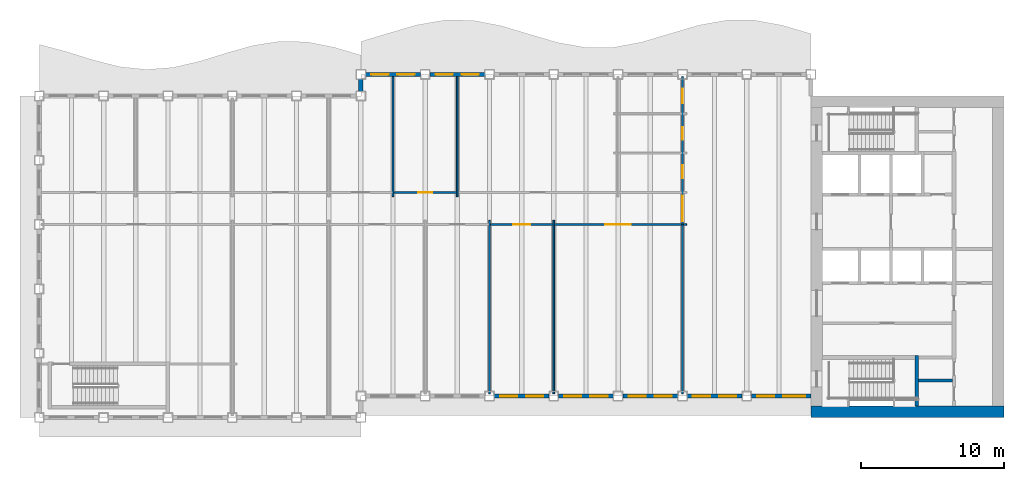
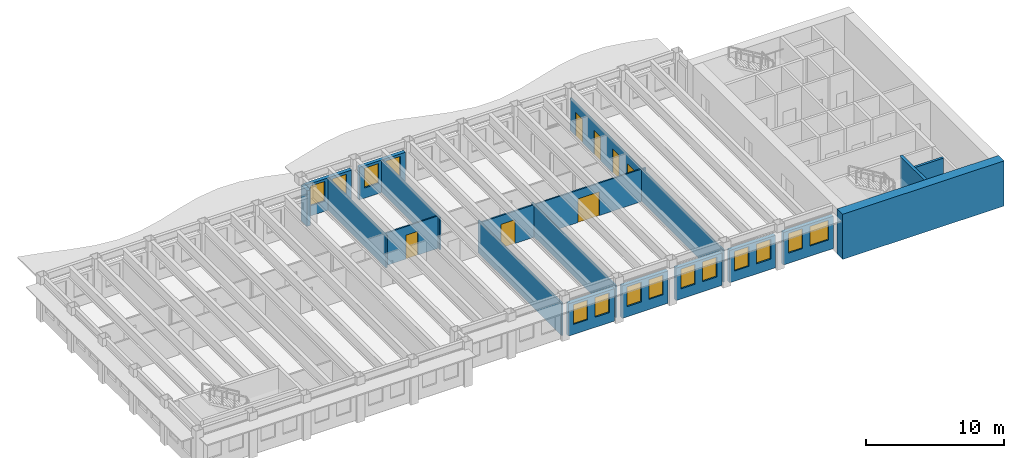
# One storey, part 4 of 12: 20 walls, 14 windows, 7 doors, 21 openings.
"""IFC4 building model written with IfcOpenShell, lengths in metres."""

import ifcopenshell
import ifcopenshell.guid

model = None  # the IFC model being written
_history = None  # IfcOwnerHistory: only IFC2X3 demands one
_inside = {}  # id of a spatial element -> (the spatial element, [elements in it])
_under = {}  # id of a project, library or spatial element -> (it, [spatial elements below it])
_declared = {}  # id of a project -> (the project, [libraries it declares])
_typed = {}  # id of a type object -> (the type object, [elements of that type])
_made_of = {}  # id of a material, layer set ... -> (it, [elements and type objects made of it])


def new_model(schema):
    """Start an empty IFC model of exactly this schema.

    Asked for "IFC4X3", IfcOpenShell would pick the latest addendum, in which some entities
    have other attributes; the version numbers below select the first issue.
    IFC2X3 requires an IfcOwnerHistory on every rooted entity: one is made here for all.
    """
    global model, _history
    if schema == "IFC4X3":
        model = ifcopenshell.file(schema_version=(4, 3, 0, 0))
    else:
        model = ifcopenshell.file(schema=schema)
    _inside.clear()
    _under.clear()
    _declared.clear()
    _typed.clear()
    _made_of.clear()
    _history = None
    if model.schema == "IFC2X3":
        org = make("IfcOrganization", Name="unknown")
        user = make(
            "IfcPersonAndOrganization",
            ThePerson=make("IfcPerson", FamilyName="unknown"),
            TheOrganization=org,
        )
        app = make(
            "IfcApplication",
            ApplicationDeveloper=org,
            Version="unknown",
            ApplicationFullName="unknown",
            ApplicationIdentifier="unknown",
        )
        _history = make(
            "IfcOwnerHistory",
            OwningUser=user,
            OwningApplication=app,
            ChangeAction="ADDED",
            CreationDate=0,
        )
    return model


def make(cls, **values):
    """One entity of the class cls with the attributes given. An attribute that is None is left unset."""
    return model.create_entity(
        cls, **{name: value for name, value in values.items() if value is not None}
    )


def rooted(cls, **values):
    """An entity with a GlobalId (a new one), such as an element, a storey or a relation."""
    return make(cls, GlobalId=ifcopenshell.guid.new(), OwnerHistory=_history, **values)


def si_unit(unit_type, name, prefix=None):
    """IfcSIUnit, for example si_unit("LENGTHUNIT", "METRE", prefix="MILLI")."""
    return make("IfcSIUnit", UnitType=unit_type, Prefix=prefix, Name=name)


def assignment(units):
    """IfcUnitAssignment: the units of a project."""
    return None if units is None else make("IfcUnitAssignment", Units=units)


def point(xyz):
    """IfcCartesianPoint."""
    return None if xyz is None else make("IfcCartesianPoint", Coordinates=xyz)


def direction(xyz):
    """IfcDirection."""
    return None if xyz is None else make("IfcDirection", DirectionRatios=xyz)


def frame(location, z_axis=None, x_axis=None):
    """IfcAxis2Placement3D, a coordinate frame: its origin and axes. An axis left out is left unset."""
    return make(
        "IfcAxis2Placement3D",
        Location=point(location),
        Axis=direction(z_axis),
        RefDirection=direction(x_axis),
    )


def frame_2d(location, x_axis=None):
    """IfcAxis2Placement2D, a coordinate frame in the plane: its origin and x axis."""
    return make(
        "IfcAxis2Placement2D", Location=point(location), RefDirection=direction(x_axis)
    )


def origin():
    """The frame at (0, 0, 0) with its axes left unset."""
    return frame((0.0, 0.0, 0.0))


def place(relative_to, where):
    """IfcLocalPlacement: puts the frame where relative to a parent placement (None: the world)."""
    return make(
        "IfcLocalPlacement", PlacementRelTo=relative_to, RelativePlacement=where
    )


def context(
    kind, dimensions, precision=None, world=None, true_north=None, identifier=None
):
    """IfcGeometricRepresentationContext, for example the 3D "Model" context."""
    return make(
        "IfcGeometricRepresentationContext",
        ContextIdentifier=identifier,
        ContextType=kind,
        CoordinateSpaceDimension=dimensions,
        Precision=precision,
        WorldCoordinateSystem=world,
        TrueNorth=true_north,
    )


def subcontext(parent, identifier, kind, view, scale=None):
    """IfcGeometricRepresentationSubContext, for example "Body" below "Model"."""
    return make(
        "IfcGeometricRepresentationSubContext",
        ContextIdentifier=identifier,
        ContextType=kind,
        ParentContext=parent,
        TargetScale=scale,
        TargetView=view,
    )


def project(units=None, contexts=None):
    """IfcProject with its units and contexts."""
    return rooted(
        "IfcProject",
        Name="project",
        RepresentationContexts=contexts,
        UnitsInContext=assignment(units),
    )


def spatial(cls, under=None, at=None, **own):
    """A site, building, storey or space (cls), placed at a placement, below another one or the project."""
    s = rooted(cls, ObjectPlacement=at, **own)
    if under is not None:
        _under.setdefault(under.id(), (under, []))[1].append(s)
    return s


def profile(cls, at=None, kind="AREA", **sizes):
    """A parametric profile (cls). Its sizes go by their IFC names, for example OverallWidth=200.0."""
    return make(cls, ProfileType=kind, Position=at, **sizes)


def rectangle(**sizes):
    """IfcRectangleProfileDef."""
    return profile("IfcRectangleProfileDef", **sizes)


def extrude(swept, where, along, depth):
    """IfcExtrudedAreaSolid: the profile swept, set in the frame where, extruded along a direction by depth."""
    return make(
        "IfcExtrudedAreaSolid",
        SweptArea=swept,
        Position=where,
        ExtrudedDirection=direction(along),
        Depth=depth,
    )


def shape(context_of_items, identifier, shape_type, items):
    """IfcShapeRepresentation: the items that make up one representation, for example the "Body"."""
    return make(
        "IfcShapeRepresentation",
        ContextOfItems=context_of_items,
        RepresentationIdentifier=identifier,
        RepresentationType=shape_type,
        Items=items,
    )


def material(Name=None, Category=None):
    """IfcMaterial."""
    return make("IfcMaterial", Name=Name, Category=Category)


def layer(
    of_material, thickness, ventilated=None, Name=None, Category=None, Priority=None
):
    """IfcMaterialLayer: one layer of a wall or slab, of a material (None: an air gap)."""
    return make(
        "IfcMaterialLayer",
        Material=of_material,
        LayerThickness=thickness,
        IsVentilated=ventilated,
        Name=Name,
        Category=Category,
        Priority=Priority,
    )


def layer_set(layers, Name=None):
    """IfcMaterialLayerSet."""
    return make("IfcMaterialLayerSet", MaterialLayers=layers, LayerSetName=Name)


def made_of(thing, what):
    """Note that an element or type object is made of a material, layer set ...; save() writes the relation."""
    if what is not None:
        _made_of.setdefault(what.id(), (what, []))[1].append(thing)
    return thing


def type_object(cls, material=None, **own):
    """A type object (cls), such as IfcWallType, which elements share."""
    return made_of(rooted(cls, **own), material)


def element(
    cls,
    number,
    at=None,
    inside=None,
    cuts=None,
    type_object=None,
    material=None,
    context=None,
    identifier="Body",
    shape_type=None,
    held_by="IfcProductDefinitionShape",
    body=None,
    shapes=None,
    **own,
):
    """One element of the class cls, such as IfcWall. Its Tag is "e" and its number.

    at: its placement. inside: the storey or other place that contains it. cuts: it is an
    opening in that element (IfcRelVoidsElement). A single representation is given by context,
    identifier, shape_type and body (its items); several are given by shapes. held_by: the class
    of the entity that holds the representations. save() writes the other relations.
    """
    e = rooted(cls, Tag="e%d" % number, ObjectPlacement=at, **own)
    if body is not None:
        shapes = [shape(context, identifier, shape_type, body)]
    if shapes is not None:
        e.Representation = make(held_by, Representations=shapes)
    if inside is not None:
        _inside.setdefault(inside.id(), (inside, []))[1].append(e)
    if cuts is not None:
        rooted(
            "IfcRelVoidsElement", RelatingBuildingElement=cuts, RelatedOpeningElement=e
        )
    if type_object is not None:
        _typed.setdefault(type_object.id(), (type_object, []))[1].append(e)
    return made_of(e, material)


def fill(opening, filler):
    """IfcRelFillsElement: the door or window that sits in an opening."""
    return rooted(
        "IfcRelFillsElement",
        RelatingOpeningElement=opening,
        RelatedBuildingElement=filler,
    )


def aggregate(whole, parts):
    """IfcRelAggregates: a whole, such as a stair, and the parts it consists of."""
    return rooted("IfcRelAggregates", RelatingObject=whole, RelatedObjects=parts)


def save(model, path):
    """Write the relations noted so far, then the file.

    IfcRelAggregates (storeys below a building ...), IfcRelContainedInSpatialStructure (elements
    in a storey), IfcRelDefinesByType, IfcRelAssociatesMaterial and IfcRelDeclares: one each for
    every whole, place, type object, material and project.
    """
    for whole, parts in _under.values():
        aggregate(whole, parts)
    for where, things in _inside.values():
        rooted(
            "IfcRelContainedInSpatialStructure",
            RelatedElements=things,
            RelatingStructure=where,
        )
    for kind, things in _typed.values():
        rooted("IfcRelDefinesByType", RelatedObjects=things, RelatingType=kind)
    for what, things in _made_of.values():
        rooted("IfcRelAssociatesMaterial", RelatedObjects=things, RelatingMaterial=what)
    for by, libraries in _declared.values():
        rooted("IfcRelDeclares", RelatingContext=by, RelatedDefinitions=libraries)
    model.write(path)


model = new_model("IFC4")

# Units and contexts
model_context = context("Model", 3, precision=1e-05, world=origin(), true_north=direction((0.0, 1.0)))
body_context = subcontext(model_context, "Body", "Model", "MODEL_VIEW")
ifc_project = project(units=[si_unit("LENGTHUNIT", "METRE"), si_unit("AREAUNIT", "SQUARE_METRE"), si_unit("VOLUMEUNIT", "CUBIC_METRE"), si_unit("PLANEANGLEUNIT", "RADIAN"), si_unit("MASSUNIT", "GRAM", prefix="KILO")], contexts=[model_context])

# Site, building, storey
site_placement = place(None, origin())
site = spatial("IfcSite", under=ifc_project, at=site_placement, CompositionType="ELEMENT")
building_placement = place(site_placement, origin())
building = spatial("IfcBuilding", under=site, at=building_placement, Name="Sennacour Bend Tower", CompositionType="ELEMENT")
storey_placement = place(building_placement, frame((0.0, 0.0, 281.0)))
storey = spatial("IfcBuildingStorey", under=building, at=storey_placement, Name="L65", CompositionType="ELEMENT", Elevation=281.0)

# Walls
ifc_material_1 = material(Name="Concrete C50/60", Category="concrete")
ifc_layer_1 = layer(ifc_material_1, 0.800048828125, Name="Concrete C50/60", Category="concrete")
ifc_layer_set_1 = layer_set([ifc_layer_1], Name="Concrete C50/60")
wall_type_1 = type_object("IfcWallType", Name="Core wall 800 C50/60", PredefinedType="SHEAR", material=ifc_layer_set_1)
wall_1_placement = place(storey_placement, frame((67.5, 0.39990234375, -0.14990234375), z_axis=(0.0, 0.0, 1.0), x_axis=(-1.0, 0.0, 0.0)))
element("IfcWall", 1, at=wall_1_placement, inside=storey, type_object=wall_type_1, Name="Core A wall L65 S", PredefinedType="SHEAR", context=body_context, shape_type="SweptSolid", body=[
    extrude(rectangle(XDim=13.5, YDim=0.800048828125, at=frame_2d((6.75, 0.0))), origin(), (0.0, 0.0, 1.0), 4.0),
])
ifc_material_2 = material(Name="Plasterboard partition on steel studs", Category="steel")
ifc_layer_2 = layer(ifc_material_2, 0.1201171875, Name="Plasterboard partition on steel studs", Category="steel")
ifc_layer_set_2 = layer_set([ifc_layer_2], Name="Plasterboard partition on steel studs")
wall_type_2 = type_object("IfcWallType", Name="Partition 120", PredefinedType="PARTITIONING", material=ifc_layer_set_2)
for number, where, z_axis, x_axis, name in (
    (2, (24.75, 15.449951171875, 0.0), (0.0, 0.0, 1.0), (0.0, 1.0, 0.0), "P-L65-W009a"),
    (3, (29.25, 15.449951171875, 0.0), (0.0, 0.0, 1.0), (0.0, 1.0, 0.0), "P-L65-W011a"),
):
    element("IfcWall", number, at=place(storey_placement, frame(where, z_axis=z_axis, x_axis=x_axis)), inside=storey, type_object=wall_type_2, Name=name, PredefinedType="PARTITIONING", context=body_context, shape_type="SweptSolid", body=[
        extrude(rectangle(XDim=8.400146484375, YDim=0.1201171875, at=frame_2d((4.2001953125, 0.0))), origin(), (0.0, 0.0, 1.0), 2.8701171875),
    ])
for number, where, z_axis, x_axis, name in (
    (4, (31.5, 1.64990234375, 0.0), (0.0, 0.0, 1.0), (0.0, 1.0, 0.0), "P-L65-W012a"),
    (5, (36.0, 1.64990234375, 0.0), (0.0, 0.0, 1.0), (0.0, 1.0, 0.0), "P-L65-W013a"),
):
    element("IfcWall", number, at=place(storey_placement, frame(where, z_axis=z_axis, x_axis=x_axis)), inside=storey, type_object=wall_type_2, Name=name, PredefinedType="PARTITIONING", context=body_context, shape_type="SweptSolid", body=[
        extrude(rectangle(XDim=12.150146484375, YDim=0.1201171875, at=frame_2d((6.0751953125, 0.0))), origin(), (0.0, 0.0, 1.0), 2.8701171875),
    ])

# Wall, opening, door
wall_2_placement = place(storey_placement, frame((31.56005859375, 13.5, 0.0), z_axis=(0.0, 0.0, 1.0), x_axis=(1.0, 0.0, 0.0)))
wall_2 = element("IfcWall", 6, at=wall_2_placement, inside=storey, type_object=wall_type_2, Name="P-L65-W043ae", PredefinedType="PARTITIONING", context=body_context, shape_type="SweptSolid", body=[
    extrude(rectangle(XDim=4.3798828125, YDim=0.1201171875, at=frame_2d((2.18994140625, 0.0))), origin(), (0.0, 0.0, 1.0), 2.8701171875),
])
opening_1_placement = place(wall_2_placement, frame((1.58984375, 0.0, 0.0)))
opening_1 = element("IfcOpeningElement", 7, at=opening_1_placement, cuts=wall_2, Name="Opening OD", PredefinedType="OPENING", context=body_context, shape_type="SweptSolid", body=[
    extrude(rectangle(XDim=1.199951171875, YDim=2.10009765625, at=frame_2d((0.60009765625, 1.050048828125))), frame((0.0, 0.070068359375, 0.0), z_axis=(0.0, -1.0, 0.0), x_axis=(1.0, 0.0, 0.0)), (0.0, 0.0, 1.0), 0.14013671875),
])
ifc_material_3 = material(Name="Timber", Category="wood")
door_type_1 = type_object("IfcDoorType", Name="DR-OFFICE-1200", OperationType="NOTDEFINED", PredefinedType="DOOR", material=ifc_material_3)
door_1_placement = place(opening_1_placement, origin())
door_1 = element("IfcDoor", 8, at=door_1_placement, inside=storey, type_object=door_type_1, Name="Door", OperationType="SINGLE_SWING_LEFT", OverallHeight=2.10009765625, OverallWidth=1.199951171875, PredefinedType="DOOR", context=body_context, shape_type="SweptSolid", body=[
    extrude(rectangle(XDim=1.199951171875, YDim=2.10009765625, at=frame_2d((0.60009765625, 1.050048828125))), frame((0.0, 0.02490234375, 0.0), z_axis=(0.0, -1.0, 0.0), x_axis=(1.0, 0.0, 0.0)), (0.0, 0.0, 1.0), 0.050048828125),
])
fill(opening_1, door_1)

wall_3_placement = place(storey_placement, frame((36.06005859375, 13.5, 0.0), z_axis=(0.0, 0.0, 1.0), x_axis=(1.0, 0.0, 0.0)))
wall_3 = element("IfcWall", 9, at=wall_3_placement, inside=storey, type_object=wall_type_2, Name="P-L65-W043af", PredefinedType="PARTITIONING", context=body_context, shape_type="SweptSolid", body=[
    extrude(rectangle(XDim=8.8798828125, YDim=0.1201171875, at=frame_2d((4.43994140625, 0.0))), origin(), (0.0, 0.0, 1.0), 2.8701171875),
])
opening_2_placement = place(wall_3_placement, frame((3.539794921875, 0.0, 0.0)))
opening_2 = element("IfcOpeningElement", 10, at=opening_2_placement, cuts=wall_3, Name="Opening OD3", PredefinedType="OPENING", context=body_context, shape_type="SweptSolid", body=[
    extrude(rectangle(XDim=1.800048828125, YDim=2.10009765625, at=frame_2d((0.89990234375, 1.050048828125))), frame((0.0, 0.070068359375, 0.0), z_axis=(0.0, -1.0, 0.0), x_axis=(1.0, 0.0, 0.0)), (0.0, 0.0, 1.0), 0.14013671875),
])
door_type_2 = type_object("IfcDoorType", Name="DR-OFFICE-1800", OperationType="NOTDEFINED", PredefinedType="DOOR", material=ifc_material_3)
door_2_placement = place(opening_2_placement, origin())
door_2 = element("IfcDoor", 11, at=door_2_placement, inside=storey, type_object=door_type_2, Name="Door", OperationType="DOUBLE_DOOR_SINGLE_SWING", OverallHeight=2.10009765625, OverallWidth=1.800048828125, PredefinedType="DOOR", context=body_context, shape_type="SweptSolid", body=[
    extrude(rectangle(XDim=1.800048828125, YDim=2.10009765625, at=frame_2d((0.89990234375, 1.050048828125))), frame((0.0, 0.02490234375, 0.0), z_axis=(0.0, -1.0, 0.0), x_axis=(1.0, 0.0, 0.0)), (0.0, 0.0, 1.0), 0.050048828125),
])
fill(opening_2, door_2)

# Wall
wall_4_placement = place(storey_placement, frame((45.06005859375, 13.5, 0.0), z_axis=(0.0, 0.0, 1.0), x_axis=(1.0, 0.0, 0.0)))
element("IfcWall", 12, at=wall_4_placement, inside=storey, type_object=wall_type_2, Name="P-L65-W043ag", PredefinedType="PARTITIONING", context=body_context, shape_type="SweptSolid", body=[
    extrude(rectangle(XDim=0.239990234375, YDim=0.1201171875, at=frame_2d((0.1201171875, 0.0))), origin(), (0.0, 0.0, 1.0), 2.8701171875),
])

# Wall, opening, door
wall_5_placement = place(storey_placement, frame((24.81005859375, 15.75, 0.0), z_axis=(0.0, 0.0, 1.0), x_axis=(1.0, 0.0, 0.0)))
wall_5 = element("IfcWall", 13, at=wall_5_placement, inside=storey, type_object=wall_type_2, Name="P-L65-W046ae", PredefinedType="PARTITIONING", context=body_context, shape_type="SweptSolid", body=[
    extrude(rectangle(XDim=4.3798828125, YDim=0.1201171875, at=frame_2d((2.18994140625, 0.0))), origin(), (0.0, 0.0, 1.0), 2.8701171875),
])
opening_3_placement = place(wall_5_placement, frame((1.68994140625, 0.0, 0.0)))
opening_3 = element("IfcOpeningElement", 14, at=opening_3_placement, cuts=wall_5, Name="Opening OD2", PredefinedType="OPENING", context=body_context, shape_type="SweptSolid", body=[
    extrude(rectangle(XDim=1.0, YDim=2.10009765625, at=frame_2d((0.5, 1.050048828125))), frame((0.0, 0.070068359375, 0.0), z_axis=(0.0, -1.0, 0.0), x_axis=(1.0, 0.0, 0.0)), (0.0, 0.0, 1.0), 0.14013671875),
])
door_type_3 = type_object("IfcDoorType", Name="DR-OFFICE-1000", OperationType="NOTDEFINED", PredefinedType="DOOR", material=ifc_material_3)
door_3_placement = place(opening_3_placement, origin())
door_3 = element("IfcDoor", 15, at=door_3_placement, inside=storey, type_object=door_type_3, Name="Door", OperationType="SINGLE_SWING_LEFT", OverallHeight=2.10009765625, OverallWidth=1.0, PredefinedType="DOOR", context=body_context, shape_type="SweptSolid", body=[
    extrude(rectangle(XDim=1.0, YDim=2.10009765625, at=frame_2d((0.5, 1.050048828125))), frame((0.0, 0.02490234375, 0.0), z_axis=(0.0, -1.0, 0.0), x_axis=(1.0, 0.0, 0.0)), (0.0, 0.0, 1.0), 0.050048828125),
])
fill(opening_3, door_3)

# Wall, openings, doors
ifc_layer_3 = layer(ifc_material_2, 0.1201171875, Name="Plasterboard partition on steel studs", Category="steel")
ifc_layer_set_3 = layer_set([ifc_layer_3], Name="Plasterboard partition on steel studs")
wall_type_3 = type_object("IfcWallType", Name="Partition 120 EI 30", PredefinedType="PARTITIONING", material=ifc_layer_set_3)
wall_6_placement = place(storey_placement, frame((45.0, 1.64990234375, 0.0), z_axis=(0.0, 0.0, 1.0), x_axis=(0.0, 1.0, 0.0)))
wall_6 = element("IfcWall", 16, at=wall_6_placement, inside=storey, type_object=wall_type_3, Name="P-L65-W015a", PredefinedType="PARTITIONING", context=body_context, shape_type="SweptSolid", body=[
    extrude(rectangle(XDim=22.2001953125, YDim=0.1201171875, at=frame_2d((11.10009765625, 0.0))), origin(), (0.0, 0.0, 1.0), 2.8701171875),
])
opening_4_placement = place(wall_6_placement, frame((12.0751953125, 0.0, 0.0)))
opening_4 = element("IfcOpeningElement", 17, at=opening_4_placement, cuts=wall_6, Name="Opening KD3", PredefinedType="OPENING", context=body_context, shape_type="SweptSolid", body=[
    extrude(rectangle(XDim=1.800048828125, YDim=2.10009765625, at=frame_2d((0.89990234375, 1.050048828125))), frame((0.0, 0.070068359375, 0.0), z_axis=(0.0, -1.0, 0.0), x_axis=(1.0, 0.0, 0.0)), (0.0, 0.0, 1.0), 0.14013671875),
])
opening_5_placement = place(wall_6_placement, frame((15.10009765625, 0.0, 0.0)))
opening_5 = element("IfcOpeningElement", 18, at=opening_5_placement, cuts=wall_6, Name="Opening WD", PredefinedType="OPENING", context=body_context, shape_type="SweptSolid", body=[
    extrude(rectangle(XDim=0.89990234375, YDim=2.10009765625, at=frame_2d((0.449951171875, 1.050048828125))), frame((0.0, 0.070068359375, 0.0), z_axis=(0.0, -1.0, 0.0), x_axis=(1.0, 0.0, 0.0)), (0.0, 0.0, 1.0), 0.14013671875),
])
opening_6_placement = place(wall_6_placement, frame((17.775146484375, 0.0, 0.0)))
opening_6 = element("IfcOpeningElement", 19, at=opening_6_placement, cuts=wall_6, Name="Opening WD", PredefinedType="OPENING", context=body_context, shape_type="SweptSolid", body=[
    extrude(rectangle(XDim=0.89990234375, YDim=2.10009765625, at=frame_2d((0.449951171875, 1.050048828125))), frame((0.0, 0.070068359375, 0.0), z_axis=(0.0, -1.0, 0.0), x_axis=(1.0, 0.0, 0.0)), (0.0, 0.0, 1.0), 0.14013671875),
])
opening_7_placement = place(wall_6_placement, frame((20.35009765625, 0.0, 0.0)))
opening_7 = element("IfcOpeningElement", 20, at=opening_7_placement, cuts=wall_6, Name="Opening AD", PredefinedType="OPENING", context=body_context, shape_type="SweptSolid", body=[
    extrude(rectangle(XDim=1.0, YDim=2.10009765625, at=frame_2d((0.5, 1.050048828125))), frame((0.0, 0.070068359375, 0.0), z_axis=(0.0, -1.0, 0.0), x_axis=(1.0, 0.0, 0.0)), (0.0, 0.0, 1.0), 0.14013671875),
])
door_type_4 = type_object("IfcDoorType", Name="DR-ACC-WC-1000", OperationType="NOTDEFINED", PredefinedType="DOOR", material=ifc_material_3)
door_4_placement = place(opening_7_placement, origin())
door_4 = element("IfcDoor", 21, at=door_4_placement, inside=storey, type_object=door_type_4, Name="Door", OperationType="SINGLE_SWING_RIGHT", OverallHeight=2.10009765625, OverallWidth=1.0, PredefinedType="DOOR", context=body_context, shape_type="SweptSolid", body=[
    extrude(rectangle(XDim=1.0, YDim=2.10009765625, at=frame_2d((0.5, 1.050048828125))), frame((0.0, 0.02490234375, 0.0), z_axis=(0.0, -1.0, 0.0), x_axis=(1.0, 0.0, 0.0)), (0.0, 0.0, 1.0), 0.050048828125),
])
fill(opening_7, door_4)
ifc_material_4 = material(Name="Painted steel", Category="steel")
door_type_5 = type_object("IfcDoorType", Name="DR-CORRIDOR-1800", OperationType="NOTDEFINED", PredefinedType="DOOR", material=ifc_material_4)
door_5_placement = place(opening_4_placement, origin())
door_5 = element("IfcDoor", 22, at=door_5_placement, inside=storey, type_object=door_type_5, Name="Door", OperationType="DOUBLE_DOOR_SINGLE_SWING", OverallHeight=2.10009765625, OverallWidth=1.800048828125, PredefinedType="DOOR", context=body_context, shape_type="SweptSolid", body=[
    extrude(rectangle(XDim=1.800048828125, YDim=2.10009765625, at=frame_2d((0.89990234375, 1.050048828125))), frame((0.0, 0.02490234375, 0.0), z_axis=(0.0, -1.0, 0.0), x_axis=(1.0, 0.0, 0.0)), (0.0, 0.0, 1.0), 0.050048828125),
])
fill(opening_4, door_5)
door_type_6 = type_object("IfcDoorType", Name="DR-WC-900", OperationType="NOTDEFINED", PredefinedType="DOOR", material=ifc_material_3)
door_6_placement = place(opening_5_placement, origin())
door_6 = element("IfcDoor", 23, at=door_6_placement, inside=storey, type_object=door_type_6, Name="Door", OperationType="SINGLE_SWING_RIGHT", OverallHeight=2.10009765625, OverallWidth=0.89990234375, PredefinedType="DOOR", context=body_context, shape_type="SweptSolid", body=[
    extrude(rectangle(XDim=0.89990234375, YDim=2.10009765625, at=frame_2d((0.449951171875, 1.050048828125))), frame((0.0, 0.02490234375, 0.0), z_axis=(0.0, -1.0, 0.0), x_axis=(1.0, 0.0, 0.0)), (0.0, 0.0, 1.0), 0.050048828125),
])
fill(opening_5, door_6)
door_7_placement = place(opening_6_placement, origin())
door_7 = element("IfcDoor", 24, at=door_7_placement, inside=storey, type_object=door_type_6, Name="Door", OperationType="SINGLE_SWING_RIGHT", OverallHeight=2.10009765625, OverallWidth=0.89990234375, PredefinedType="DOOR", context=body_context, shape_type="SweptSolid", body=[
    extrude(rectangle(XDim=0.89990234375, YDim=2.10009765625, at=frame_2d((0.449951171875, 1.050048828125))), frame((0.0, 0.02490234375, 0.0), z_axis=(0.0, -1.0, 0.0), x_axis=(1.0, 0.0, 0.0)), (0.0, 0.0, 1.0), 0.050048828125),
])
fill(opening_6, door_7)

# Wall
ifc_material_5 = material(Name="Fire-rated plasterboard partition on steel studs", Category="steel")
ifc_layer_4 = layer(ifc_material_5, 0.199951171875, Name="Fire-rated plasterboard partition on steel studs", Category="steel")
ifc_layer_set_4 = layer_set([ifc_layer_4], Name="Fire-rated plasterboard partition on steel studs")
wall_type_4 = type_object("IfcWallType", Name="Rated partition 200", PredefinedType="PARTITIONING", material=ifc_layer_set_4)
wall_7_placement = place(storey_placement, frame((61.52490234375, 2.60009765625, 0.0), z_axis=(0.0, 0.0, 1.0), x_axis=(1.0, 0.0, 0.0)))
element("IfcWall", 25, at=wall_7_placement, inside=storey, type_object=wall_type_4, Name="P-L65-W032", PredefinedType="PARTITIONING", context=body_context, shape_type="SweptSolid", body=[
    extrude(rectangle(XDim=2.375, YDim=0.199951171875, at=frame_2d((1.1875, 0.0))), origin(), (0.0, 0.0, 1.0), 3.85009765625),
])

# Wall, openings, windows
ifc_material_6 = material(Name="Warm limestone cladding", Category="masonry")
ifc_layer_5 = layer(ifc_material_6, 0.050048828125, Name="Warm limestone cladding", Category="masonry")
ifc_material_7 = material(Name="Precast concrete C40/50", Category="concrete")
ifc_layer_6 = layer(ifc_material_7, 0.25, Name="Precast concrete C40/50", Category="concrete")
ifc_layer_set_5 = layer_set([ifc_layer_5, ifc_layer_6], Name="Precast concrete C40/50 with limestone cladding")
wall_type_5 = type_object("IfcWallType", Name="STONE-CLAD PRECAST SPANDREL 300", PredefinedType="STANDARD", material=ifc_layer_set_5)
wall_8_placement = place(storey_placement, frame((31.824951171875, 1.5, 0.0), z_axis=(0.0, 0.0, 1.0), x_axis=(1.0, 0.0, 0.0)))
wall_8 = element("IfcWall", 26, at=wall_8_placement, inside=storey, type_object=wall_type_5, Name="Stone spandrel and pier wall L65 01.02", PredefinedType="STANDARD", context=body_context, shape_type="SweptSolid", body=[
    extrude(rectangle(XDim=3.85009765625, YDim=0.300048828125, at=frame_2d((1.925048828125, 0.0))), origin(), (0.0, 0.0, 1.0), 2.8701171875),
])
opening_8_placement = place(wall_8_placement, frame((0.41259765625, 0.0, 0.89990234375)))
opening_8 = element("IfcOpeningElement", 27, at=opening_8_placement, cuts=wall_8, Name="Opening W16", PredefinedType="OPENING", context=body_context, shape_type="SweptSolid", body=[
    extrude(rectangle(XDim=1.199951171875, YDim=1.75, at=frame_2d((0.60009765625, 0.875))), frame((0.0, 0.16015625, 0.0), z_axis=(0.0, -1.0, 0.0), x_axis=(1.0, 0.0, 0.0)), (0.0, 0.0, 1.0), 0.320068359375),
])
opening_9_placement = place(wall_8_placement, frame((2.237548828125, 0.0, 0.89990234375)))
opening_9 = element("IfcOpeningElement", 28, at=opening_9_placement, cuts=wall_8, Name="Opening W16", PredefinedType="OPENING", context=body_context, shape_type="SweptSolid", body=[
    extrude(rectangle(XDim=1.199951171875, YDim=1.75, at=frame_2d((0.60009765625, 0.875))), frame((0.0, 0.16015625, 0.0), z_axis=(0.0, -1.0, 0.0), x_axis=(1.0, 0.0, 0.0)), (0.0, 0.0, 1.0), 0.320068359375),
])
ifc_material_8 = material(Name="Clear low-emissivity glass", Category="glass")
window_type_1 = type_object("IfcWindowType", Name="WIN-RIBBON-1200x1750", PartitioningType="SINGLE_PANEL", PredefinedType="WINDOW", material=ifc_material_8)
window_1_placement = place(opening_8_placement, origin())
window_1 = element("IfcWindow", 29, at=window_1_placement, inside=storey, type_object=window_type_1, Name="Ribbon window L65 01.02.0", OverallHeight=1.75, OverallWidth=1.199951171875, PartitioningType="SINGLE_PANEL", PredefinedType="WINDOW", context=body_context, shape_type="SweptSolid", body=[
    extrude(rectangle(XDim=1.199951171875, YDim=1.75, at=frame_2d((0.60009765625, 0.875))), frame((0.0, 0.030029296875, 0.0), z_axis=(0.0, -1.0, 0.0), x_axis=(1.0, 0.0, 0.0)), (0.0, 0.0, 1.0), 0.06005859375),
])
fill(opening_8, window_1)
window_2_placement = place(opening_9_placement, origin())
window_2 = element("IfcWindow", 30, at=window_2_placement, inside=storey, type_object=window_type_1, Name="Ribbon window L65 01.02.1", OverallHeight=1.75, OverallWidth=1.199951171875, PartitioningType="SINGLE_PANEL", PredefinedType="WINDOW", context=body_context, shape_type="SweptSolid", body=[
    extrude(rectangle(XDim=1.199951171875, YDim=1.75, at=frame_2d((0.60009765625, 0.875))), frame((0.0, 0.030029296875, 0.0), z_axis=(0.0, -1.0, 0.0), x_axis=(1.0, 0.0, 0.0)), (0.0, 0.0, 1.0), 0.06005859375),
])
fill(opening_9, window_2)

wall_9_placement = place(storey_placement, frame((36.324951171875, 1.5, 0.0), z_axis=(0.0, 0.0, 1.0), x_axis=(1.0, 0.0, 0.0)))
wall_9 = element("IfcWall", 31, at=wall_9_placement, inside=storey, type_object=wall_type_5, Name="Stone spandrel and pier wall L65 01.03", PredefinedType="STANDARD", context=body_context, shape_type="SweptSolid", body=[
    extrude(rectangle(XDim=3.85009765625, YDim=0.300048828125, at=frame_2d((1.925048828125, 0.0))), origin(), (0.0, 0.0, 1.0), 2.8701171875),
])
opening_10_placement = place(wall_9_placement, frame((0.41259765625, 0.0, 0.89990234375)))
opening_10 = element("IfcOpeningElement", 32, at=opening_10_placement, cuts=wall_9, Name="Opening W16", PredefinedType="OPENING", context=body_context, shape_type="SweptSolid", body=[
    extrude(rectangle(XDim=1.199951171875, YDim=1.75, at=frame_2d((0.60009765625, 0.875))), frame((0.0, 0.16015625, 0.0), z_axis=(0.0, -1.0, 0.0), x_axis=(1.0, 0.0, 0.0)), (0.0, 0.0, 1.0), 0.320068359375),
])
opening_11_placement = place(wall_9_placement, frame((2.237548828125, 0.0, 0.89990234375)))
opening_11 = element("IfcOpeningElement", 33, at=opening_11_placement, cuts=wall_9, Name="Opening W16", PredefinedType="OPENING", context=body_context, shape_type="SweptSolid", body=[
    extrude(rectangle(XDim=1.199951171875, YDim=1.75, at=frame_2d((0.60009765625, 0.875))), frame((0.0, 0.16015625, 0.0), z_axis=(0.0, -1.0, 0.0), x_axis=(1.0, 0.0, 0.0)), (0.0, 0.0, 1.0), 0.320068359375),
])
window_3_placement = place(opening_10_placement, origin())
window_3 = element("IfcWindow", 34, at=window_3_placement, inside=storey, type_object=window_type_1, Name="Ribbon window L65 01.03.0", OverallHeight=1.75, OverallWidth=1.199951171875, PartitioningType="SINGLE_PANEL", PredefinedType="WINDOW", context=body_context, shape_type="SweptSolid", body=[
    extrude(rectangle(XDim=1.199951171875, YDim=1.75, at=frame_2d((0.60009765625, 0.875))), frame((0.0, 0.030029296875, 0.0), z_axis=(0.0, -1.0, 0.0), x_axis=(1.0, 0.0, 0.0)), (0.0, 0.0, 1.0), 0.06005859375),
])
fill(opening_10, window_3)
window_4_placement = place(opening_11_placement, origin())
window_4 = element("IfcWindow", 35, at=window_4_placement, inside=storey, type_object=window_type_1, Name="Ribbon window L65 01.03.1", OverallHeight=1.75, OverallWidth=1.199951171875, PartitioningType="SINGLE_PANEL", PredefinedType="WINDOW", context=body_context, shape_type="SweptSolid", body=[
    extrude(rectangle(XDim=1.199951171875, YDim=1.75, at=frame_2d((0.60009765625, 0.875))), frame((0.0, 0.030029296875, 0.0), z_axis=(0.0, -1.0, 0.0), x_axis=(1.0, 0.0, 0.0)), (0.0, 0.0, 1.0), 0.06005859375),
])
fill(opening_11, window_4)

wall_10_placement = place(storey_placement, frame((40.824951171875, 1.5, 0.0), z_axis=(0.0, 0.0, 1.0), x_axis=(1.0, 0.0, 0.0)))
wall_10 = element("IfcWall", 36, at=wall_10_placement, inside=storey, type_object=wall_type_5, Name="Stone spandrel and pier wall L65 01.04", PredefinedType="STANDARD", context=body_context, shape_type="SweptSolid", body=[
    extrude(rectangle(XDim=3.85009765625, YDim=0.300048828125, at=frame_2d((1.925048828125, 0.0))), origin(), (0.0, 0.0, 1.0), 2.8701171875),
])
opening_12_placement = place(wall_10_placement, frame((0.41259765625, 0.0, 0.89990234375)))
opening_12 = element("IfcOpeningElement", 37, at=opening_12_placement, cuts=wall_10, Name="Opening W16", PredefinedType="OPENING", context=body_context, shape_type="SweptSolid", body=[
    extrude(rectangle(XDim=1.199951171875, YDim=1.75, at=frame_2d((0.60009765625, 0.875))), frame((0.0, 0.16015625, 0.0), z_axis=(0.0, -1.0, 0.0), x_axis=(1.0, 0.0, 0.0)), (0.0, 0.0, 1.0), 0.320068359375),
])
opening_13_placement = place(wall_10_placement, frame((2.237548828125, 0.0, 0.89990234375)))
opening_13 = element("IfcOpeningElement", 38, at=opening_13_placement, cuts=wall_10, Name="Opening W16", PredefinedType="OPENING", context=body_context, shape_type="SweptSolid", body=[
    extrude(rectangle(XDim=1.199951171875, YDim=1.75, at=frame_2d((0.60009765625, 0.875))), frame((0.0, 0.16015625, 0.0), z_axis=(0.0, -1.0, 0.0), x_axis=(1.0, 0.0, 0.0)), (0.0, 0.0, 1.0), 0.320068359375),
])
window_5_placement = place(opening_12_placement, origin())
window_5 = element("IfcWindow", 39, at=window_5_placement, inside=storey, type_object=window_type_1, Name="Ribbon window L65 01.04.0", OverallHeight=1.75, OverallWidth=1.199951171875, PartitioningType="SINGLE_PANEL", PredefinedType="WINDOW", context=body_context, shape_type="SweptSolid", body=[
    extrude(rectangle(XDim=1.199951171875, YDim=1.75, at=frame_2d((0.60009765625, 0.875))), frame((0.0, 0.030029296875, 0.0), z_axis=(0.0, -1.0, 0.0), x_axis=(1.0, 0.0, 0.0)), (0.0, 0.0, 1.0), 0.06005859375),
])
fill(opening_12, window_5)
window_6_placement = place(opening_13_placement, origin())
window_6 = element("IfcWindow", 40, at=window_6_placement, inside=storey, type_object=window_type_1, Name="Ribbon window L65 01.04.1", OverallHeight=1.75, OverallWidth=1.199951171875, PartitioningType="SINGLE_PANEL", PredefinedType="WINDOW", context=body_context, shape_type="SweptSolid", body=[
    extrude(rectangle(XDim=1.199951171875, YDim=1.75, at=frame_2d((0.60009765625, 0.875))), frame((0.0, 0.030029296875, 0.0), z_axis=(0.0, -1.0, 0.0), x_axis=(1.0, 0.0, 0.0)), (0.0, 0.0, 1.0), 0.06005859375),
])
fill(opening_13, window_6)

wall_11_placement = place(storey_placement, frame((45.324951171875, 1.5, 0.0), z_axis=(0.0, 0.0, 1.0), x_axis=(1.0, 0.0, 0.0)))
wall_11 = element("IfcWall", 41, at=wall_11_placement, inside=storey, type_object=wall_type_5, Name="Stone spandrel and pier wall L65 01.05", PredefinedType="STANDARD", context=body_context, shape_type="SweptSolid", body=[
    extrude(rectangle(XDim=3.85009765625, YDim=0.300048828125, at=frame_2d((1.925048828125, 0.0))), origin(), (0.0, 0.0, 1.0), 2.8701171875),
])
opening_14_placement = place(wall_11_placement, frame((0.41259765625, 0.0, 0.89990234375)))
opening_14 = element("IfcOpeningElement", 42, at=opening_14_placement, cuts=wall_11, Name="Opening W16", PredefinedType="OPENING", context=body_context, shape_type="SweptSolid", body=[
    extrude(rectangle(XDim=1.199951171875, YDim=1.75, at=frame_2d((0.60009765625, 0.875))), frame((0.0, 0.16015625, 0.0), z_axis=(0.0, -1.0, 0.0), x_axis=(1.0, 0.0, 0.0)), (0.0, 0.0, 1.0), 0.320068359375),
])
opening_15_placement = place(wall_11_placement, frame((2.237548828125, 0.0, 0.89990234375)))
opening_15 = element("IfcOpeningElement", 43, at=opening_15_placement, cuts=wall_11, Name="Opening W16", PredefinedType="OPENING", context=body_context, shape_type="SweptSolid", body=[
    extrude(rectangle(XDim=1.199951171875, YDim=1.75, at=frame_2d((0.60009765625, 0.875))), frame((0.0, 0.16015625, 0.0), z_axis=(0.0, -1.0, 0.0), x_axis=(1.0, 0.0, 0.0)), (0.0, 0.0, 1.0), 0.320068359375),
])
window_7_placement = place(opening_14_placement, origin())
window_7 = element("IfcWindow", 44, at=window_7_placement, inside=storey, type_object=window_type_1, Name="Ribbon window L65 01.05.0", OverallHeight=1.75, OverallWidth=1.199951171875, PartitioningType="SINGLE_PANEL", PredefinedType="WINDOW", context=body_context, shape_type="SweptSolid", body=[
    extrude(rectangle(XDim=1.199951171875, YDim=1.75, at=frame_2d((0.60009765625, 0.875))), frame((0.0, 0.030029296875, 0.0), z_axis=(0.0, -1.0, 0.0), x_axis=(1.0, 0.0, 0.0)), (0.0, 0.0, 1.0), 0.06005859375),
])
fill(opening_14, window_7)
window_8_placement = place(opening_15_placement, origin())
window_8 = element("IfcWindow", 45, at=window_8_placement, inside=storey, type_object=window_type_1, Name="Ribbon window L65 01.05.1", OverallHeight=1.75, OverallWidth=1.199951171875, PartitioningType="SINGLE_PANEL", PredefinedType="WINDOW", context=body_context, shape_type="SweptSolid", body=[
    extrude(rectangle(XDim=1.199951171875, YDim=1.75, at=frame_2d((0.60009765625, 0.875))), frame((0.0, 0.030029296875, 0.0), z_axis=(0.0, -1.0, 0.0), x_axis=(1.0, 0.0, 0.0)), (0.0, 0.0, 1.0), 0.06005859375),
])
fill(opening_15, window_8)

wall_12_placement = place(storey_placement, frame((49.824951171875, 1.5, 0.0), z_axis=(0.0, 0.0, 1.0), x_axis=(1.0, 0.0, 0.0)))
wall_12 = element("IfcWall", 46, at=wall_12_placement, inside=storey, type_object=wall_type_5, Name="Stone spandrel and pier wall L65 01.06", PredefinedType="STANDARD", context=body_context, shape_type="SweptSolid", body=[
    extrude(rectangle(XDim=4.175048828125, YDim=0.300048828125, at=frame_2d((2.08740234375, 0.0))), origin(), (0.0, 0.0, 1.0), 2.8701171875),
])
opening_16_placement = place(wall_12_placement, frame((0.41259765625, 0.0, 0.89990234375)))
opening_16 = element("IfcOpeningElement", 47, at=opening_16_placement, cuts=wall_12, Name="Opening W16", PredefinedType="OPENING", context=body_context, shape_type="SweptSolid", body=[
    extrude(rectangle(XDim=1.199951171875, YDim=1.75, at=frame_2d((0.60009765625, 0.875))), frame((0.0, 0.16015625, 0.0), z_axis=(0.0, -1.0, 0.0), x_axis=(1.0, 0.0, 0.0)), (0.0, 0.0, 1.0), 0.320068359375),
])
opening_17_placement = place(wall_12_placement, frame((2.22509765625, 0.0, 0.89990234375)))
opening_17 = element("IfcOpeningElement", 48, at=opening_17_placement, cuts=wall_12, Name="Opening W12", PredefinedType="OPENING", context=body_context, shape_type="SweptSolid", body=[
    extrude(rectangle(XDim=1.550048828125, YDim=1.75, at=frame_2d((0.77490234375, 0.875))), frame((0.0, 0.16015625, 0.0), z_axis=(0.0, -1.0, 0.0), x_axis=(1.0, 0.0, 0.0)), (0.0, 0.0, 1.0), 0.320068359375),
])
window_9_placement = place(opening_16_placement, origin())
window_9 = element("IfcWindow", 49, at=window_9_placement, inside=storey, type_object=window_type_1, Name="Ribbon window L65 01.06.0", OverallHeight=1.75, OverallWidth=1.199951171875, PartitioningType="SINGLE_PANEL", PredefinedType="WINDOW", context=body_context, shape_type="SweptSolid", body=[
    extrude(rectangle(XDim=1.199951171875, YDim=1.75, at=frame_2d((0.60009765625, 0.875))), frame((0.0, 0.030029296875, 0.0), z_axis=(0.0, -1.0, 0.0), x_axis=(1.0, 0.0, 0.0)), (0.0, 0.0, 1.0), 0.06005859375),
])
fill(opening_16, window_9)
window_type_2 = type_object("IfcWindowType", Name="WIN-RIBBON-1550x1750", PartitioningType="SINGLE_PANEL", PredefinedType="WINDOW", material=ifc_material_8)
window_10_placement = place(opening_17_placement, origin())
window_10 = element("IfcWindow", 50, at=window_10_placement, inside=storey, type_object=window_type_2, Name="Ribbon window L65 01.06.1", OverallHeight=1.75, OverallWidth=1.550048828125, PartitioningType="SINGLE_PANEL", PredefinedType="WINDOW", context=body_context, shape_type="SweptSolid", body=[
    extrude(rectangle(XDim=1.550048828125, YDim=1.75, at=frame_2d((0.77490234375, 0.875))), frame((0.0, 0.030029296875, 0.0), z_axis=(0.0, -1.0, 0.0), x_axis=(1.0, 0.0, 0.0)), (0.0, 0.0, 1.0), 0.06005859375),
])
fill(opening_17, window_10)

wall_13_placement = place(storey_placement, frame((31.175048828125, 24.0, 0.0), z_axis=(0.0, 0.0, 1.0), x_axis=(-1.0, 0.0, 0.0)))
wall_13 = element("IfcWall", 51, at=wall_13_placement, inside=storey, type_object=wall_type_5, Name="Stone spandrel and pier wall L65 07.05", PredefinedType="STANDARD", context=body_context, shape_type="SweptSolid", body=[
    extrude(rectangle(XDim=3.85009765625, YDim=0.300048828125, at=frame_2d((1.925048828125, 0.0))), origin(), (0.0, 0.0, 1.0), 2.8701171875),
])
opening_18_placement = place(wall_13_placement, frame((0.41259765625, 0.0, 0.89990234375)))
opening_18 = element("IfcOpeningElement", 52, at=opening_18_placement, cuts=wall_13, Name="Opening W16", PredefinedType="OPENING", context=body_context, shape_type="SweptSolid", body=[
    extrude(rectangle(XDim=1.199951171875, YDim=1.75, at=frame_2d((0.60009765625, 0.875))), frame((0.0, 0.16015625, 0.0), z_axis=(0.0, -1.0, 0.0), x_axis=(1.0, 0.0, 0.0)), (0.0, 0.0, 1.0), 0.320068359375),
])
opening_19_placement = place(wall_13_placement, frame((2.237548828125, 0.0, 0.89990234375)))
opening_19 = element("IfcOpeningElement", 53, at=opening_19_placement, cuts=wall_13, Name="Opening W16", PredefinedType="OPENING", context=body_context, shape_type="SweptSolid", body=[
    extrude(rectangle(XDim=1.199951171875, YDim=1.75, at=frame_2d((0.60009765625, 0.875))), frame((0.0, 0.16015625, 0.0), z_axis=(0.0, -1.0, 0.0), x_axis=(1.0, 0.0, 0.0)), (0.0, 0.0, 1.0), 0.320068359375),
])
window_11_placement = place(opening_18_placement, origin())
window_11 = element("IfcWindow", 54, at=window_11_placement, inside=storey, type_object=window_type_1, Name="Ribbon window L65 07.05.0", OverallHeight=1.75, OverallWidth=1.199951171875, PartitioningType="SINGLE_PANEL", PredefinedType="WINDOW", context=body_context, shape_type="SweptSolid", body=[
    extrude(rectangle(XDim=1.199951171875, YDim=1.75, at=frame_2d((0.60009765625, 0.875))), frame((0.0, 0.030029296875, 0.0), z_axis=(0.0, -1.0, 0.0), x_axis=(1.0, 0.0, 0.0)), (0.0, 0.0, 1.0), 0.06005859375),
])
fill(opening_18, window_11)
window_12_placement = place(opening_19_placement, origin())
window_12 = element("IfcWindow", 55, at=window_12_placement, inside=storey, type_object=window_type_1, Name="Ribbon window L65 07.05.1", OverallHeight=1.75, OverallWidth=1.199951171875, PartitioningType="SINGLE_PANEL", PredefinedType="WINDOW", context=body_context, shape_type="SweptSolid", body=[
    extrude(rectangle(XDim=1.199951171875, YDim=1.75, at=frame_2d((0.60009765625, 0.875))), frame((0.0, 0.030029296875, 0.0), z_axis=(0.0, -1.0, 0.0), x_axis=(1.0, 0.0, 0.0)), (0.0, 0.0, 1.0), 0.06005859375),
])
fill(opening_19, window_12)

wall_14_placement = place(storey_placement, frame((26.675048828125, 24.0, 0.0), z_axis=(0.0, 0.0, 1.0), x_axis=(-1.0, 0.0, 0.0)))
wall_14 = element("IfcWall", 56, at=wall_14_placement, inside=storey, type_object=wall_type_5, Name="Stone spandrel and pier wall L65 07.06", PredefinedType="STANDARD", context=body_context, shape_type="SweptSolid", body=[
    extrude(rectangle(XDim=3.85009765625, YDim=0.300048828125, at=frame_2d((1.925048828125, 0.0))), origin(), (0.0, 0.0, 1.0), 2.8701171875),
])
opening_20_placement = place(wall_14_placement, frame((0.41259765625, 0.0, 0.89990234375)))
opening_20 = element("IfcOpeningElement", 57, at=opening_20_placement, cuts=wall_14, Name="Opening W16", PredefinedType="OPENING", context=body_context, shape_type="SweptSolid", body=[
    extrude(rectangle(XDim=1.199951171875, YDim=1.75, at=frame_2d((0.60009765625, 0.875))), frame((0.0, 0.16015625, 0.0), z_axis=(0.0, -1.0, 0.0), x_axis=(1.0, 0.0, 0.0)), (0.0, 0.0, 1.0), 0.320068359375),
])
opening_21_placement = place(wall_14_placement, frame((2.237548828125, 0.0, 0.89990234375)))
opening_21 = element("IfcOpeningElement", 58, at=opening_21_placement, cuts=wall_14, Name="Opening W16", PredefinedType="OPENING", context=body_context, shape_type="SweptSolid", body=[
    extrude(rectangle(XDim=1.199951171875, YDim=1.75, at=frame_2d((0.60009765625, 0.875))), frame((0.0, 0.16015625, 0.0), z_axis=(0.0, -1.0, 0.0), x_axis=(1.0, 0.0, 0.0)), (0.0, 0.0, 1.0), 0.320068359375),
])
window_13_placement = place(opening_20_placement, origin())
window_13 = element("IfcWindow", 59, at=window_13_placement, inside=storey, type_object=window_type_1, Name="Ribbon window L65 07.06.0", OverallHeight=1.75, OverallWidth=1.199951171875, PartitioningType="SINGLE_PANEL", PredefinedType="WINDOW", context=body_context, shape_type="SweptSolid", body=[
    extrude(rectangle(XDim=1.199951171875, YDim=1.75, at=frame_2d((0.60009765625, 0.875))), frame((0.0, 0.030029296875, 0.0), z_axis=(0.0, -1.0, 0.0), x_axis=(1.0, 0.0, 0.0)), (0.0, 0.0, 1.0), 0.06005859375),
])
fill(opening_20, window_13)
window_14_placement = place(opening_21_placement, origin())
window_14 = element("IfcWindow", 60, at=window_14_placement, inside=storey, type_object=window_type_1, Name="Ribbon window L65 07.06.1", OverallHeight=1.75, OverallWidth=1.199951171875, PartitioningType="SINGLE_PANEL", PredefinedType="WINDOW", context=body_context, shape_type="SweptSolid", body=[
    extrude(rectangle(XDim=1.199951171875, YDim=1.75, at=frame_2d((0.60009765625, 0.875))), frame((0.0, 0.030029296875, 0.0), z_axis=(0.0, -1.0, 0.0), x_axis=(1.0, 0.0, 0.0)), (0.0, 0.0, 1.0), 0.06005859375),
])
fill(opening_21, window_14)

# Walls
wall_15_placement = place(storey_placement, frame((22.5, 23.675048828125, 0.0), z_axis=(0.0, 0.0, 1.0), x_axis=(0.0, -1.0, 0.0)))
element("IfcWall", 61, at=wall_15_placement, inside=storey, type_object=wall_type_5, Name="Stone spandrel and pier wall L65 08.00", PredefinedType="STANDARD", context=body_context, shape_type="SweptSolid", body=[
    extrude(rectangle(XDim=0.85009765625, YDim=0.300048828125, at=frame_2d((0.425048828125, 0.0))), origin(), (0.0, 0.0, 1.0), 3.162109375),
])
ifc_material_9 = material(Name="Concrete C60/75", Category="concrete")
ifc_layer_7 = layer(ifc_material_9, 0.25, Name="Concrete C60/75", Category="concrete")
ifc_layer_set_6 = layer_set([ifc_layer_7], Name="Concrete C60/75")
wall_type_6 = type_object("IfcWallType", Name="Stair wall 250", PredefinedType="SHEAR", material=ifc_layer_set_6)
wall_16_placement = place(storey_placement, frame((61.39990234375, 0.800048828125, 0.0), z_axis=(0.0, 0.0, 1.0), x_axis=(0.0, 1.0, 0.0)))
element("IfcWall", 62, at=wall_16_placement, inside=storey, type_object=wall_type_6, Name="P-L65-W022", PredefinedType="SHEAR", context=body_context, shape_type="SweptSolid", body=[
    extrude(rectangle(XDim=3.52490234375, YDim=0.25, at=frame_2d((1.762451171875, 0.0))), origin(), (0.0, 0.0, 1.0), 3.85009765625),
])

save(model, "model.ifc")
